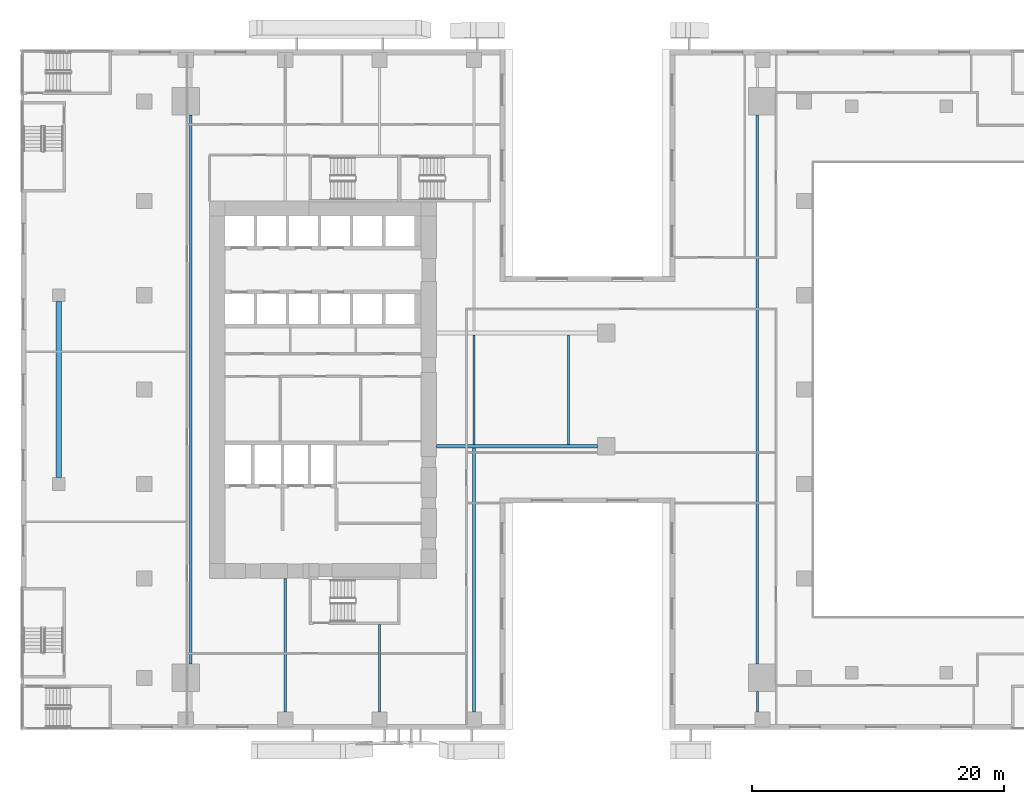
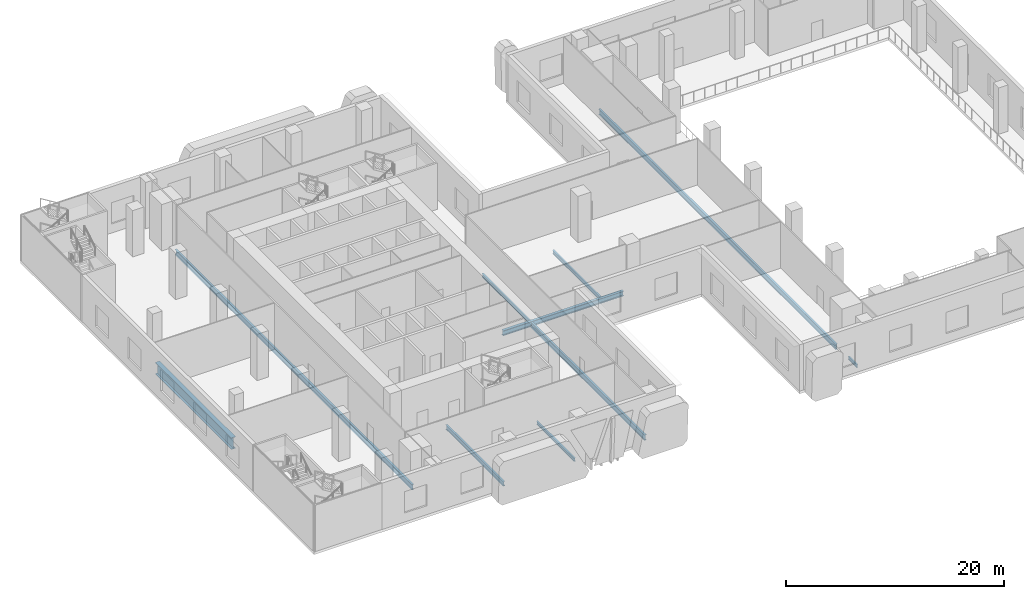
# One storey, part 3 of 23: 10 beams.
"""IFC4 building model written with IfcOpenShell, lengths in metres."""

from ifc_helpers import new_model, si_unit, direction, frame, origin, origin_2d, place, context, subcontext, project, spatial, i_section, extrude, source, transform, mapped, material, material_profile, profile_set, type_object, element, save


model = new_model("IFC4")

# Units and contexts
model_context = context("Model", 3, precision=1e-05, world=origin(), true_north=direction((0.0, 1.0)))
body_context = subcontext(model_context, "Body", "Model", "MODEL_VIEW")
ifc_project = project(units=[si_unit("LENGTHUNIT", "METRE"), si_unit("AREAUNIT", "SQUARE_METRE"), si_unit("VOLUMEUNIT", "CUBIC_METRE"), si_unit("PLANEANGLEUNIT", "RADIAN"), si_unit("MASSUNIT", "GRAM", prefix="KILO")], contexts=[model_context])

# Site, building, storey
site_placement = place(None, origin())
site = spatial("IfcSite", under=ifc_project, at=site_placement, CompositionType="ELEMENT")
building_placement = place(site_placement, origin())
building = spatial("IfcBuilding", under=site, at=building_placement, Name="Khomas Fold Tower", CompositionType="ELEMENT")
storey_placement = place(building_placement, frame((0.0, 0.0, 7.5)))
storey = spatial("IfcBuildingStorey", under=building, at=storey_placement, Name="L01", CompositionType="ELEMENT", Elevation=7.5)

# Beams
ifc_material_1 = material(Name="Steel S355", Category="steel")
ifc_material_profile_1 = material_profile(ifc_material_1, i_section(OverallWidth=0.300048828125, OverallDepth=0.550048828125, WebThickness=0.014892578125, FlangeThickness=0.029052734375, at=origin_2d()), Name="HE 550 B")
ifc_profile_set_1 = profile_set([ifc_material_profile_1], Name="Steel S355")
beam_type_1 = type_object("IfcBeamType", Name="HE 550 B beam GB4", PredefinedType="BEAM", material=ifc_profile_set_1)
shared_shape_1 = source(origin(), body_context, "Body", "SweptSolid", [
    extrude(i_section(OverallWidth=0.300048828125, OverallDepth=0.550048828125, WebThickness=0.014892578125, FlangeThickness=0.029052734375, at=origin_2d()), origin(), (0.0, 0.0, 1.0), 12.800048828125),
])
beam_1_placement = place(storey_placement, frame((24.0, 22.5, -0.574951171875), z_axis=(1.0, 0.0, 0.0), x_axis=(0.0, 1.0, 0.0)))
element("IfcBeam", 1, at=beam_1_placement, inside=storey, type_object=beam_type_1, Name="GB4", PredefinedType="BEAM", context=body_context, shape_type="MappedRepresentation", body=[
    mapped(shared_shape_1, transform((0.0, 0.0, 0.0))),
])
ifc_material_2 = material(Name="Steel S355", Category="steel")
ifc_material_profile_2 = material_profile(ifc_material_2, i_section(OverallWidth=0.159912109375, OverallDepth=0.330078125, WebThickness=0.007568359375, FlangeThickness=0.011474609375, at=origin_2d()), Name="IPE 330")
ifc_profile_set_2 = profile_set([ifc_material_profile_2], Name="Steel S355")
beam_type_2 = type_object("IfcBeamType", Name="IPE 330 beam JB1", PredefinedType="BEAM", material=ifc_profile_set_2)
shared_shape_2 = source(origin(), body_context, "Body", "SweptSolid", [
    extrude(i_section(OverallWidth=0.159912109375, OverallDepth=0.330078125, WebThickness=0.007568359375, FlangeThickness=0.011474609375, at=origin_2d()), origin(), (0.0, 0.0, 1.0), 1.60009765625),
])
beam_2_placement = place(storey_placement, frame((49.5, 1.39990234375, -0.465087890625), z_axis=(0.0, 1.0, 0.0), x_axis=(-1.0, 0.0, 0.0)))
element("IfcBeam", 2, at=beam_2_placement, inside=storey, type_object=beam_type_2, Name="JB1", PredefinedType="BEAM", context=body_context, shape_type="MappedRepresentation", body=[
    mapped(shared_shape_2, transform((0.0, 0.0, 0.0))),
])
ifc_material_3 = material(Name="Steel S355", Category="steel")
ifc_material_profile_3 = material_profile(ifc_material_3, i_section(OverallWidth=0.219970703125, OverallDepth=0.60009765625, WebThickness=0.011962890625, FlangeThickness=0.01904296875, at=origin_2d()), Name="IPE 600")
ifc_profile_set_3 = profile_set([ifc_material_profile_3], Name="Steel S355")
beam_type_3 = type_object("IfcBeamType", Name="IPE 600 beam JB7", PredefinedType="BEAM", material=ifc_profile_set_3)
shared_shape_3 = source(origin(), body_context, "Body", "SweptSolid", [
    extrude(i_section(OverallWidth=0.219970703125, OverallDepth=0.60009765625, WebThickness=0.011962890625, FlangeThickness=0.01904296875, at=origin_2d()), origin(), (0.0, 0.0, 1.0), 43.60009765625),
])
for number, where, z_axis, x_axis, name in (
    (3, (4.5, 5.199951171875, -0.60009765625), (0.0, 1.0, 0.0), (-1.0, 0.0, 0.0), "JB7"),
    (4, (49.5, 5.199951171875, -0.60009765625), (0.0, 1.0, 0.0), (-1.0, 0.0, 0.0), "JB7"),
):
    element("IfcBeam", number, at=place(storey_placement, frame(where, z_axis=z_axis, x_axis=x_axis)), inside=storey, type_object=beam_type_3, Name=name, PredefinedType="BEAM", context=body_context, shape_type="MappedRepresentation", body=[
        mapped(shared_shape_3, transform((0.0, 0.0, 0.0))),
    ])
ifc_material_4 = material(Name="Steel S355", Category="steel")
ifc_material_profile_4 = material_profile(ifc_material_4, i_section(OverallWidth=0.199951171875, OverallDepth=0.5, WebThickness=0.01025390625, FlangeThickness=0.01611328125, at=origin_2d()), Name="IPE 500")
ifc_profile_set_4 = profile_set([ifc_material_profile_4], Name="Steel S355")
beam_type_4 = type_object("IfcBeamType", Name="IPE 500 beam JB5", PredefinedType="BEAM", material=ifc_profile_set_4)
shared_shape_4 = source(origin(), body_context, "Body", "SweptSolid", [
    extrude(i_section(OverallWidth=0.199951171875, OverallDepth=0.5, WebThickness=0.01025390625, FlangeThickness=0.01611328125, at=origin_2d()), origin(), (0.0, 0.0, 1.0), 10.60009765625),
])
beam_3_placement = place(storey_placement, frame((12.0, 1.39990234375, -0.550048828125), z_axis=(0.0, 1.0, 0.0), x_axis=(-1.0, 0.0, 0.0)))
element("IfcBeam", 5, at=beam_3_placement, inside=storey, type_object=beam_type_4, Name="JB5", PredefinedType="BEAM", context=body_context, shape_type="MappedRepresentation", body=[
    mapped(shared_shape_4, transform((0.0, 0.0, 0.0))),
])
ifc_material_5 = material(Name="Steel S355", Category="steel")
ifc_material_profile_5 = material_profile(ifc_material_5, i_section(OverallWidth=0.169921875, OverallDepth=0.360107421875, WebThickness=0.008056640625, FlangeThickness=0.0126953125, at=origin_2d()), Name="IPE 360")
ifc_profile_set_5 = profile_set([ifc_material_profile_5], Name="Steel S355")
beam_type_5 = type_object("IfcBeamType", Name="IPE 360 beam JB2", PredefinedType="BEAM", material=ifc_profile_set_5)
shared_shape_5 = source(origin(), body_context, "Body", "SweptSolid", [
    extrude(i_section(OverallWidth=0.169921875, OverallDepth=0.360107421875, WebThickness=0.008056640625, FlangeThickness=0.0126953125, at=origin_2d()), origin(), (0.0, 0.0, 1.0), 6.9501953125),
])
beam_4_placement = place(storey_placement, frame((19.5, 1.39990234375, -0.47998046875), z_axis=(0.0, 1.0, 0.0), x_axis=(-1.0, 0.0, 0.0)))
element("IfcBeam", 6, at=beam_4_placement, inside=storey, type_object=beam_type_5, Name="JB2", PredefinedType="BEAM", context=body_context, shape_type="MappedRepresentation", body=[
    mapped(shared_shape_5, transform((0.0, 0.0, 0.0))),
])
shared_shape_6 = source(origin(), body_context, "Body", "SweptSolid", [
    extrude(i_section(OverallWidth=0.219970703125, OverallDepth=0.60009765625, WebThickness=0.011962890625, FlangeThickness=0.01904296875, at=origin_2d()), origin(), (0.0, 0.0, 1.0), 20.9501953125),
])
beam_5_placement = place(storey_placement, frame((27.0, 1.39990234375, -0.60009765625), z_axis=(0.0, 1.0, 0.0), x_axis=(-1.0, 0.0, 0.0)))
element("IfcBeam", 7, at=beam_5_placement, inside=storey, type_object=beam_type_3, Name="JB7", PredefinedType="BEAM", context=body_context, shape_type="MappedRepresentation", body=[
    mapped(shared_shape_6, transform((0.0, 0.0, 0.0))),
])
ifc_material_6 = material(Name="Steel S355", Category="steel")
ifc_material_profile_6 = material_profile(ifc_material_6, i_section(OverallWidth=0.179931640625, OverallDepth=0.39990234375, WebThickness=0.008544921875, FlangeThickness=0.013427734375, at=origin_2d()), Name="IPE 400")
ifc_profile_set_6 = profile_set([ifc_material_profile_6], Name="Steel S355")
beam_type_6 = type_object("IfcBeamType", Name="IPE 400 beam JB3", PredefinedType="BEAM", material=ifc_profile_set_6)
shared_shape_7 = source(origin(), body_context, "Body", "SweptSolid", [
    extrude(i_section(OverallWidth=0.179931640625, OverallDepth=0.39990234375, WebThickness=0.008544921875, FlangeThickness=0.013427734375, at=origin_2d()), origin(), (0.0, 0.0, 1.0), 8.7001953125),
])
for number, where, z_axis, x_axis, name in (
    (8, (27.0, 22.64990234375, -0.5), (0.0, 1.0, 0.0), (-1.0, 0.0, 0.0), "JB3"),
    (9, (34.5, 22.64990234375, -0.5), (0.0, 1.0, 0.0), (-1.0, 0.0, 0.0), "JB3"),
):
    element("IfcBeam", number, at=place(storey_placement, frame(where, z_axis=z_axis, x_axis=x_axis)), inside=storey, type_object=beam_type_6, Name=name, PredefinedType="BEAM", context=body_context, shape_type="MappedRepresentation", body=[
        mapped(shared_shape_7, transform((0.0, 0.0, 0.0))),
    ])
ifc_material_7 = material(Name="Steel S460M", Category="steel")
ifc_material_profile_7 = material_profile(ifc_material_7, i_section(OverallWidth=0.449951171875, OverallDepth=1.300048828125, WebThickness=0.02490234375, FlangeThickness=0.050048828125, at=origin_2d()), Name="PG 1300x450")
ifc_profile_set_7 = profile_set([ifc_material_profile_7], Name="Steel S460M")
beam_type_7 = type_object("IfcBeamType", Name="PG 1300x450 beam TG2", PredefinedType="BEAM", material=ifc_profile_set_7)
shared_shape_8 = source(origin(), body_context, "Body", "SweptSolid", [
    extrude(i_section(OverallWidth=0.449951171875, OverallDepth=1.300048828125, WebThickness=0.02490234375, FlangeThickness=0.050048828125, at=origin_2d()), origin(), (0.0, 0.0, 1.0), 14.0),
])
beam_6_placement = place(storey_placement, frame((-6.0, 20.0, -0.949951171875), z_axis=(0.0, 1.0, 0.0), x_axis=(-1.0, 0.0, 0.0)))
element("IfcBeam", 10, at=beam_6_placement, inside=storey, type_object=beam_type_7, Name="TG2", PredefinedType="BEAM", context=body_context, shape_type="MappedRepresentation", body=[
    mapped(shared_shape_8, transform((0.0, 0.0, 0.0))),
])

save(model, "model.ifc")
